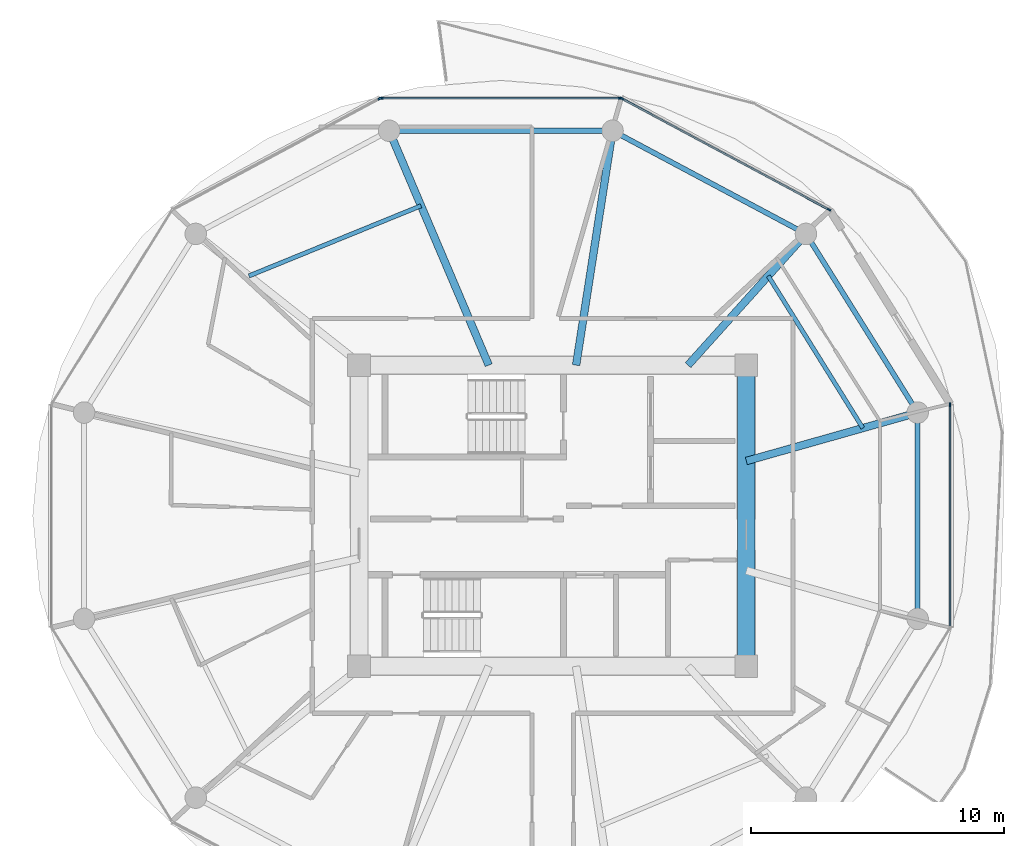
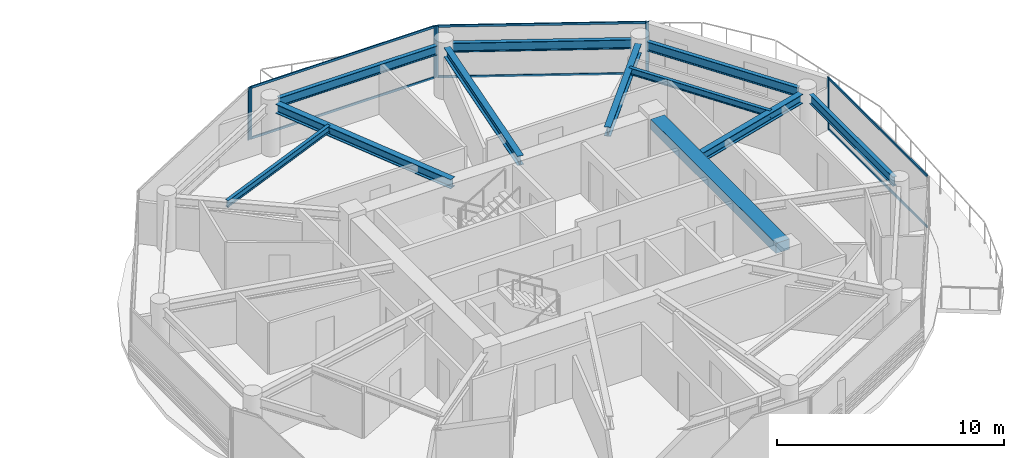
# One storey, part 11 of 24: 12 members, 11 beams, 4 elements without a shape of their own.
"""IFC4 building model written with IfcOpenShell, lengths in metres."""

from ifc_helpers import new_model, si_unit, direction, frame, origin, origin_2d, place, context, subcontext, project, spatial, rectangle, i_section, extrude, source, transform, mapped, material, layer, layer_set, material_profile, profile_set, type_object, type_shapes, element, aggregate, save


model = new_model("IFC4")

# Units and contexts
model_context = context("Model", 3, precision=1e-05, world=origin(), true_north=direction((0.0, 1.0)))
body_context = subcontext(model_context, "Body", "Model", "MODEL_VIEW")
ifc_project = project(units=[si_unit("LENGTHUNIT", "METRE"), si_unit("AREAUNIT", "SQUARE_METRE"), si_unit("VOLUMEUNIT", "CUBIC_METRE"), si_unit("PLANEANGLEUNIT", "RADIAN"), si_unit("MASSUNIT", "GRAM", prefix="KILO")], contexts=[model_context])

# Site, building, storey
site_placement = place(None, origin())
site = spatial("IfcSite", under=ifc_project, at=site_placement, CompositionType="ELEMENT")
building_placement = place(site_placement, origin())
building = spatial("IfcBuilding", under=site, at=building_placement, Name="Norrkilde Senior Care Towers", CompositionType="ELEMENT")
storey_placement = place(building_placement, frame((0.0, 0.0, 102.35009765625)))
storey = spatial("IfcBuildingStorey", under=building, at=storey_placement, Name="L31", CompositionType="ELEMENT", Elevation=102.35009765625)

# Beams
ifc_material_1 = material(Name="Concrete C60/75", Category="concrete")
ifc_material_profile_1 = material_profile(ifc_material_1, rectangle(XDim=0.699951171875, YDim=0.550048828125, at=origin_2d()), Name="RC BM 700x550")
ifc_profile_set_1 = profile_set([ifc_material_profile_1], Name="Concrete C60/75")
beam_type_1 = type_object("IfcBeamType", Name="Core Portal Coupling Beam 700x550", PredefinedType="USERDEFINED", material=ifc_profile_set_1)
shared_shape_1 = source(origin(), body_context, "Body", "SweptSolid", [
    extrude(rectangle(XDim=0.699951171875, YDim=0.550048828125, at=origin_2d()), origin(), (0.0, 0.0, 1.0), 11.0400390625),
])
type_shapes(beam_type_1, [shared_shape_1])
beam_1_placement = place(storey_placement, frame((35.64990234375, -5.52001953125, 2.514892578125), z_axis=(0.0, 1.0, 0.0), x_axis=(-1.0, 0.0, 0.0)))
element("IfcBeam", 1, at=beam_1_placement, inside=storey, type_object=beam_type_1, Name="L31 Core E E Coupling Girder", ObjectType="GIRDER", PredefinedType="USERDEFINED", context=body_context, shape_type="MappedRepresentation", body=[
    mapped(shared_shape_1, transform((0.0, 0.0, 0.0), x_axis=(1.0, 0.0, 0.0), y_axis=(0.0, 1.0, 0.0), z_axis=(0.0, 0.0, 1.0), scale=1.0)),
])
ifc_material_2 = material(Name="Steel S355", Category="steel")
ifc_material_profile_2 = material_profile(ifc_material_2, i_section(OverallWidth=0.199951171875, OverallDepth=0.5, WebThickness=0.01025390625, FlangeThickness=0.01611328125, FilletRadius=0.02099609375, at=origin_2d()), Name="IPE 500")
ifc_profile_set_2 = profile_set([ifc_material_profile_2], Name="Steel S355")
beam_type_2 = type_object("IfcBeamType", Name="Perimeter Ring Spandrel Z2 IPE500", PredefinedType="SPANDREL", material=ifc_profile_set_2)
shared_shape_2 = source(origin(), body_context, "Body", "SweptSolid", [
    extrude(i_section(OverallWidth=0.199951171875, OverallDepth=0.5, WebThickness=0.01025390625, FlangeThickness=0.01611328125, FilletRadius=0.02099609375, at=origin_2d()), origin(), (0.0, 0.0, 1.0), 7.892333984375),
])
beam_2_placement = place(storey_placement, frame((37.66650390625, 11.318115234375, 2.539794921875), z_axis=(-0.882350372282, 0.47059305194, 0.0), x_axis=(-0.47059305194, -0.882350372282, 0.0)))
element("IfcBeam", 2, at=beam_2_placement, inside=storey, type_object=beam_type_2, Name="L31 Drum E Perimeter Spandrel 02", PredefinedType="SPANDREL", context=body_context, shape_type="MappedRepresentation", body=[
    mapped(shared_shape_2, transform((0.0, 0.0, 0.0), x_axis=(1.0, 0.0, 0.0), y_axis=(0.0, 1.0, 0.0), z_axis=(0.0, 0.0, 1.0), scale=1.0)),
])
shared_shape_3 = source(origin(), body_context, "Body", "SweptSolid", [
    extrude(i_section(OverallWidth=0.199951171875, OverallDepth=0.5, WebThickness=0.01025390625, FlangeThickness=0.01611328125, FilletRadius=0.02099609375, at=origin_2d()), origin(), (0.0, 0.0, 1.0), 8.0556640625),
])
beam_3_placement = place(storey_placement, frame((29.977783203125, 15.21337890625, 2.539794921875), z_axis=(-1.0, 0.0, 0.0), x_axis=(0.0, -1.0, 0.0)))
element("IfcBeam", 3, at=beam_3_placement, inside=storey, type_object=beam_type_2, Name="L31 Drum E Perimeter Spandrel 03", PredefinedType="SPANDREL", context=body_context, shape_type="MappedRepresentation", body=[
    mapped(shared_shape_3, transform((0.0, 0.0, 0.0), x_axis=(1.0, 0.0, 0.0), y_axis=(0.0, 1.0, 0.0), z_axis=(0.0, 0.0, 1.0), scale=1.0)),
])
ifc_material_profile_3 = material_profile(ifc_material_2, i_section(OverallWidth=0.300048828125, OverallDepth=0.5, WebThickness=0.014404296875, FlangeThickness=0.028076171875, FilletRadius=0.027099609375, at=origin_2d()), Name="HEB 500")
ifc_profile_set_3 = profile_set([ifc_material_profile_3], Name="Steel S355")
beam_type_3 = type_object("IfcBeamType", Name="Radial Floor Beam Z2 HEB500", PredefinedType="BEAM", material=ifc_profile_set_3)
shared_shape_4 = source(origin(), body_context, "Body", "SweptSolid", [
    extrude(i_section(OverallWidth=0.300048828125, OverallDepth=0.5, WebThickness=0.014404296875, FlangeThickness=0.028076171875, FilletRadius=0.027099609375, at=origin_2d()), origin(), (0.0, 0.0, 1.0), 9.679443359375),
])
beam_4_placement = place(storey_placement, frame((25.472412109375, 5.949951171875, 2.539794921875), z_axis=(-0.390998033479, 0.920391513333, 0.0), x_axis=(-0.920391513333, -0.390998033479, 0.0)))
element("IfcBeam", 4, at=beam_4_placement, inside=storey, type_object=beam_type_3, Name="L31 Drum E Radial Floor Beam 04", PredefinedType="BEAM", context=body_context, shape_type="MappedRepresentation", body=[
    mapped(shared_shape_4, transform((0.0, 0.0, 0.0), x_axis=(1.0, 0.0, 0.0), y_axis=(0.0, 1.0, 0.0), z_axis=(0.0, 0.0, 1.0), scale=1.0)),
])
shared_shape_5 = source(origin(), body_context, "Body", "SweptSolid", [
    extrude(i_section(OverallWidth=0.300048828125, OverallDepth=0.5, WebThickness=0.014404296875, FlangeThickness=0.028076171875, FilletRadius=0.027099609375, at=origin_2d()), origin(), (0.0, 0.0, 1.0), 8.989501953125),
])
beam_5_placement = place(storey_placement, frame((28.924072265625, 5.949951171875, 2.539794921875), z_axis=(0.153471298636, 0.988153105796, 0.0), x_axis=(-0.988153105796, 0.153471298636, 0.0)))
element("IfcBeam", 5, at=beam_5_placement, inside=storey, type_object=beam_type_3, Name="L31 Drum E Radial Floor Beam 03", PredefinedType="BEAM", context=body_context, shape_type="MappedRepresentation", body=[
    mapped(shared_shape_5, transform((0.0, 0.0, 0.0), x_axis=(1.0, 0.0, 0.0), y_axis=(0.0, 1.0, 0.0), z_axis=(0.0, 0.0, 1.0), scale=1.0)),
])
shared_shape_6 = source(origin(), body_context, "Body", "SweptSolid", [
    extrude(i_section(OverallWidth=0.199951171875, OverallDepth=0.5, WebThickness=0.01025390625, FlangeThickness=0.01611328125, FilletRadius=0.02099609375, at=origin_2d()), origin(), (0.0, 0.0, 1.0), 7.556396484375),
])
beam_6_placement = place(storey_placement, frame((42.215087890625, 4.40283203125, 2.539794921875), z_axis=(-0.530004748437, 0.847994673706, 0.0), x_axis=(-0.847994673706, -0.530004748437, 0.0)))
element("IfcBeam", 6, at=beam_6_placement, inside=storey, type_object=beam_type_2, Name="L31 Drum E Perimeter Spandrel 01", PredefinedType="SPANDREL", context=body_context, shape_type="MappedRepresentation", body=[
    mapped(shared_shape_6, transform((0.0, 0.0, 0.0), x_axis=(1.0, 0.0, 0.0), y_axis=(0.0, 1.0, 0.0), z_axis=(0.0, 0.0, 1.0), scale=1.0)),
])
shared_shape_7 = source(origin(), body_context, "Body", "SweptSolid", [
    extrude(i_section(OverallWidth=0.300048828125, OverallDepth=0.5, WebThickness=0.014404296875, FlangeThickness=0.028076171875, FilletRadius=0.027099609375, at=origin_2d()), origin(), (0.0, 0.0, 1.0), 6.587890625),
])
beam_7_placement = place(storey_placement, frame((33.345947265625, 5.949951171875, 2.539794921875), z_axis=(0.668315438605, 0.743877997068, 0.0), x_axis=(-0.743877997068, 0.668315438605, 0.0)))
element("IfcBeam", 7, at=beam_7_placement, inside=storey, type_object=beam_type_3, Name="L31 Drum E Radial Floor Beam 02", PredefinedType="BEAM", context=body_context, shape_type="MappedRepresentation", body=[
    mapped(shared_shape_7, transform((0.0, 0.0, 0.0), x_axis=(1.0, 0.0, 0.0), y_axis=(0.0, 1.0, 0.0), z_axis=(0.0, 0.0, 1.0), scale=1.0)),
])
shared_shape_8 = source(origin(), body_context, "Body", "SweptSolid", [
    extrude(i_section(OverallWidth=0.199951171875, OverallDepth=0.5, WebThickness=0.01025390625, FlangeThickness=0.01611328125, FilletRadius=0.02099609375, at=origin_2d()), origin(), (0.0, 0.0, 1.0), 7.3828125),
])
type_shapes(beam_type_2, [shared_shape_2, shared_shape_3, shared_shape_6, shared_shape_8])
beam_8_placement = place(storey_placement, frame((42.4189453125, -3.69140625, 2.539794921875), z_axis=(0.0, 1.0, 0.0), x_axis=(-1.0, 0.0, 0.0)))
element("IfcBeam", 8, at=beam_8_placement, inside=storey, type_object=beam_type_2, Name="L31 Drum E Perimeter Spandrel 12", PredefinedType="SPANDREL", context=body_context, shape_type="MappedRepresentation", body=[
    mapped(shared_shape_8, transform((0.0, 0.0, 0.0), x_axis=(1.0, 0.0, 0.0), y_axis=(0.0, 1.0, 0.0), z_axis=(0.0, 0.0, 1.0), scale=1.0)),
])
shared_shape_9 = source(origin(), body_context, "Body", "SweptSolid", [
    extrude(i_section(OverallWidth=0.300048828125, OverallDepth=0.5, WebThickness=0.014404296875, FlangeThickness=0.028076171875, FilletRadius=0.027099609375, at=origin_2d()), origin(), (0.0, 0.0, 1.0), 6.6494140625),
])
type_shapes(beam_type_3, [shared_shape_4, shared_shape_5, shared_shape_7, shared_shape_9])
beam_9_placement = place(storey_placement, frame((35.64990234375, 2.162841796875, 2.539794921875), z_axis=(0.962289138357, 0.27202870106, 0.0), x_axis=(-0.27202870106, 0.962289138357, 0.0)))
element("IfcBeam", 9, at=beam_9_placement, inside=storey, type_object=beam_type_3, Name="L31 Drum E Radial Floor Beam 01", PredefinedType="BEAM", context=body_context, shape_type="MappedRepresentation", body=[
    mapped(shared_shape_9, transform((0.0, 0.0, 0.0), x_axis=(1.0, 0.0, 0.0), y_axis=(0.0, 1.0, 0.0), z_axis=(0.0, 0.0, 1.0), scale=1.0)),
])
ifc_material_profile_4 = material_profile(ifc_material_2, i_section(OverallWidth=0.169921875, OverallDepth=0.360107421875, WebThickness=0.008056640625, FlangeThickness=0.0126953125, FilletRadius=0.01806640625, at=origin_2d()), Name="IPE 360")
ifc_profile_set_4 = profile_set([ifc_material_profile_4], Name="Steel S355")
beam_type_4 = type_object("IfcBeamType", Name="Secondary Floor Joist IPE360", PredefinedType="JOIST", material=ifc_profile_set_4)
shared_shape_10 = source(origin(), body_context, "Body", "SweptSolid", [
    extrude(i_section(OverallWidth=0.169921875, OverallDepth=0.360107421875, WebThickness=0.008056640625, FlangeThickness=0.0126953125, FilletRadius=0.01806640625, at=origin_2d()), origin(), (0.0, 0.0, 1.0), 7.343505859375),
])
beam_10_placement = place(storey_placement, frame((22.79638671875, 12.2490234375, 2.60986328125), z_axis=(-0.926021784767, -0.377470070519, 0.0), x_axis=(0.377470070519, -0.926021784767, 0.0)))
element("IfcBeam", 10, at=beam_10_placement, inside=storey, type_object=beam_type_4, Name="L31 Drum E Secondary Floor Joist 2", PredefinedType="JOIST", context=body_context, shape_type="MappedRepresentation", body=[
    mapped(shared_shape_10, transform((0.0, 0.0, 0.0), x_axis=(1.0, 0.0, 0.0), y_axis=(0.0, 1.0, 0.0), z_axis=(0.0, 0.0, 1.0), scale=1.0)),
])
shared_shape_11 = source(origin(), body_context, "Body", "SweptSolid", [
    extrude(i_section(OverallWidth=0.169921875, OverallDepth=0.360107421875, WebThickness=0.008056640625, FlangeThickness=0.0126953125, FilletRadius=0.01806640625, at=origin_2d()), origin(), (0.0, 0.0, 1.0), 7.080078125),
])
type_shapes(beam_type_4, [shared_shape_10, shared_shape_11])
beam_11_placement = place(storey_placement, frame((40.2529296875, 3.464111328125, 2.60986328125), z_axis=(-0.527961009189, 0.849268610497, 0.0), x_axis=(-0.849268610497, -0.527961009189, 0.0)))
element("IfcBeam", 11, at=beam_11_placement, inside=storey, type_object=beam_type_4, Name="L31 Drum E Secondary Floor Joist 1", PredefinedType="JOIST", context=body_context, shape_type="MappedRepresentation", body=[
    mapped(shared_shape_11, transform((0.0, 0.0, 0.0), x_axis=(1.0, 0.0, 0.0), y_axis=(0.0, 1.0, 0.0), z_axis=(0.0, 0.0, 1.0), scale=1.0)),
])

# Curtain wall, members
ifc_material_3 = material(Name="Triple Low-E Insulated Glazing", Category="glass")
ifc_layer = layer(ifc_material_3, 0.195068359375)
ifc_layer_set = layer_set([ifc_layer], Name="Triple Low-E Insulated Glazing")
curtain_wall_type = type_object("IfcCurtainWallType", Name="CW3 Zone 2 Assisted Living Curtain Wall", PredefinedType="NOTDEFINED", material=ifc_layer_set)
curtain_wall_1_placement = place(storey_placement, origin())
curtain_wall_1 = element("IfcCurtainWall", 12, at=curtain_wall_1_placement, inside=storey, type_object=curtain_wall_type, Name="L31 Drum E Curtain Wall 01", PredefinedType="NOTDEFINED")
ifc_material_4 = material(Name="Anodised Aluminium", Category="aluminium")
ifc_material_profile_5 = material_profile(ifc_material_4, rectangle(XDim=0.06494140625, YDim=0.159912109375, at=origin_2d()), Name="ALU MULL 65x160")
ifc_profile_set_5 = profile_set([ifc_material_profile_5], Name="Anodised Aluminium")
member_type_1 = type_object("IfcMemberType", Name="Curtain Wall Mullion Z1-Z2 65x160", PredefinedType="MULLION", material=ifc_profile_set_5)
shared_shape_12 = source(origin(), body_context, "Body", "SweptSolid", [
    extrude(rectangle(XDim=0.06494140625, YDim=0.159912109375, at=origin_2d()), origin(), (0.0, 0.0, 1.0), 2.789794921875),
])
type_shapes(member_type_1, [shared_shape_12])
member_1_placement = place(storey_placement, frame((30.73583984375, 16.482666015625, 0.0), z_axis=(0.0, 0.0, 1.0), x_axis=(0.472769402511, 0.881186184668, 0.0)))
member_1 = element("IfcMember", 13, at=member_1_placement, type_object=member_type_1, Name="CW-3 mullion 1", PredefinedType="MULLION", context=body_context, shape_type="MappedRepresentation", body=[
    mapped(shared_shape_12, transform((0.0, 0.0, 0.0), x_axis=(1.0, 0.0, 0.0), y_axis=(0.0, 1.0, 0.0), z_axis=(0.0, 0.0, 1.0), scale=1.0)),
])
member_2_placement = place(storey_placement, frame((38.91796875, 12.0927734375, 0.0), z_axis=(0.0, 0.0, 1.0), x_axis=(0.472769402511, 0.881186184668, 0.0)))
member_2 = element("IfcMember", 14, at=member_2_placement, type_object=member_type_1, Name="CW-3 mullion 2", PredefinedType="MULLION", context=body_context, shape_type="MappedRepresentation", body=[
    mapped(shared_shape_12, transform((0.0, 0.0, 0.0), x_axis=(1.0, 0.0, 0.0), y_axis=(0.0, 1.0, 0.0), z_axis=(0.0, 0.0, 1.0), scale=1.0)),
])

curtain_wall_2_placement = place(storey_placement, origin())
curtain_wall_2 = element("IfcCurtainWall", 15, at=curtain_wall_2_placement, inside=storey, type_object=curtain_wall_type, Name="L31 Drum E Curtain Wall 02", PredefinedType="NOTDEFINED")
member_3_placement = place(storey_placement, frame((21.225341796875, 16.498046875, 0.0), z_axis=(0.0, 0.0, 1.0), x_axis=(0.0, 1.0, 0.0)))
member_3 = element("IfcMember", 16, at=member_3_placement, type_object=member_type_1, Name="CW-3 mullion 1", PredefinedType="MULLION", context=body_context, shape_type="MappedRepresentation", body=[
    mapped(shared_shape_12, transform((0.0, 0.0, 0.0), x_axis=(1.0, 0.0, 0.0), y_axis=(0.0, 1.0, 0.0), z_axis=(0.0, 0.0, 1.0), scale=1.0)),
])
member_4_placement = place(storey_placement, frame((30.674560546875, 16.498046875, 0.0), z_axis=(0.0, 0.0, 1.0), x_axis=(0.0, 1.0, 0.0)))
member_4 = element("IfcMember", 17, at=member_4_placement, type_object=member_type_1, Name="CW-3 mullion 2", PredefinedType="MULLION", context=body_context, shape_type="MappedRepresentation", body=[
    mapped(shared_shape_12, transform((0.0, 0.0, 0.0), x_axis=(1.0, 0.0, 0.0), y_axis=(0.0, 1.0, 0.0), z_axis=(0.0, 0.0, 1.0), scale=1.0)),
])

# Curtain wall, member
curtain_wall_3_placement = place(storey_placement, origin())
curtain_wall_3 = element("IfcCurtainWall", 18, at=curtain_wall_3_placement, inside=storey, type_object=curtain_wall_type, Name="L31 Drum E Curtain Wall 03", PredefinedType="NOTDEFINED")
member_5_placement = place(storey_placement, frame((21.164306640625, 16.482666015625, 0.0), z_axis=(0.0, 0.0, 1.0), x_axis=(-0.472769402511, 0.881186184668, 0.0)))
member_5 = element("IfcMember", 19, at=member_5_placement, type_object=member_type_1, Name="CW-3 mullion 2", PredefinedType="MULLION", context=body_context, shape_type="MappedRepresentation", body=[
    mapped(shared_shape_12, transform((0.0, 0.0, 0.0), x_axis=(1.0, 0.0, 0.0), y_axis=(0.0, 1.0, 0.0), z_axis=(0.0, 0.0, 1.0), scale=1.0)),
])
aggregate(curtain_wall_3, [member_5])

curtain_wall_4_placement = place(storey_placement, origin())
curtain_wall_4 = element("IfcCurtainWall", 20, at=curtain_wall_4_placement, inside=storey, type_object=curtain_wall_type, Name="L31 Drum E Curtain Wall 11", PredefinedType="NOTDEFINED")
member_6_placement = place(storey_placement, frame((43.70361328125, 4.38818359375, 0.0), z_axis=(0.0, 0.0, 1.0), x_axis=(1.0, 0.0, 0.0)))
member_6 = element("IfcMember", 21, at=member_6_placement, type_object=member_type_1, Name="CW-3 mullion 1", PredefinedType="MULLION", context=body_context, shape_type="MappedRepresentation", body=[
    mapped(shared_shape_12, transform((0.0, 0.0, 0.0), x_axis=(1.0, 0.0, 0.0), y_axis=(0.0, 1.0, 0.0), z_axis=(0.0, 0.0, 1.0), scale=1.0)),
])

# Member
ifc_material_profile_6 = material_profile(ifc_material_4, rectangle(XDim=0.06005859375, YDim=0.1201171875, at=origin_2d()), Name="ALU TRAN 60x120")
ifc_profile_set_6 = profile_set([ifc_material_profile_6], Name="Anodised Aluminium")
member_type_2 = type_object("IfcMemberType", Name="Curtain Wall Transom Typical 60x120", PredefinedType="USERDEFINED", material=ifc_profile_set_6)
shared_shape_13 = source(origin(), body_context, "Body", "SweptSolid", [
    extrude(rectangle(XDim=0.06005859375, YDim=0.1201171875, at=origin_2d()), origin(), (0.0, 0.0, 1.0), 9.220458984375),
])
member_7_placement = place(storey_placement, frame((30.764404296875, 16.46728515625, 0.02978515625), z_axis=(0.881188517866, -0.472765053681, 0.0), x_axis=(0.472765053681, 0.881188517866, 0.0)))
member_7 = element("IfcMember", 22, at=member_7_placement, type_object=member_type_2, Name="CW-3 transom 1.1", ObjectType="TRANSOM", PredefinedType="USERDEFINED", context=body_context, shape_type="MappedRepresentation", body=[
    mapped(shared_shape_13, transform((0.0, 0.0, 0.0), x_axis=(1.0, 0.0, 0.0), y_axis=(0.0, 1.0, 0.0), z_axis=(0.0, 0.0, 1.0), scale=1.0)),
])

member_8_placement = place(storey_placement, frame((30.764404296875, 16.46728515625, 2.760009765625), z_axis=(0.881188517866, -0.472765053681, 0.0), x_axis=(0.472765053681, 0.881188517866, 0.0)))
member_8 = element("IfcMember", 23, at=member_8_placement, type_object=member_type_2, Name="CW-3 transom 1.2", ObjectType="TRANSOM", PredefinedType="USERDEFINED", context=body_context, shape_type="MappedRepresentation", body=[
    mapped(shared_shape_13, transform((0.0, 0.0, 0.0), x_axis=(1.0, 0.0, 0.0), y_axis=(0.0, 1.0, 0.0), z_axis=(0.0, 0.0, 1.0), scale=1.0)),
])

aggregate(curtain_wall_1, [member_1, member_2, member_7, member_8])

shared_shape_14 = source(origin(), body_context, "Body", "SweptSolid", [
    extrude(rectangle(XDim=0.06005859375, YDim=0.1201171875, at=origin_2d()), origin(), (0.0, 0.0, 1.0), 9.38427734375),
])
member_9_placement = place(storey_placement, frame((21.2578125, 16.498046875, 0.02978515625), z_axis=(1.0, 0.0, 0.0), x_axis=(0.0, 1.0, 0.0)))
member_9 = element("IfcMember", 24, at=member_9_placement, type_object=member_type_2, Name="CW-3 transom 1.1", ObjectType="TRANSOM", PredefinedType="USERDEFINED", context=body_context, shape_type="MappedRepresentation", body=[
    mapped(shared_shape_14, transform((0.0, 0.0, 0.0), x_axis=(1.0, 0.0, 0.0), y_axis=(0.0, 1.0, 0.0), z_axis=(0.0, 0.0, 1.0), scale=1.0)),
])

member_10_placement = place(storey_placement, frame((21.2578125, 16.498046875, 2.760009765625), z_axis=(1.0, 0.0, 0.0), x_axis=(0.0, 1.0, 0.0)))
member_10 = element("IfcMember", 25, at=member_10_placement, type_object=member_type_2, Name="CW-3 transom 1.2", ObjectType="TRANSOM", PredefinedType="USERDEFINED", context=body_context, shape_type="MappedRepresentation", body=[
    mapped(shared_shape_14, transform((0.0, 0.0, 0.0), x_axis=(1.0, 0.0, 0.0), y_axis=(0.0, 1.0, 0.0), z_axis=(0.0, 0.0, 1.0), scale=1.0)),
])

aggregate(curtain_wall_2, [member_3, member_4, member_9, member_10])

shared_shape_15 = source(origin(), body_context, "Body", "SweptSolid", [
    extrude(rectangle(XDim=0.06005859375, YDim=0.1201171875, at=origin_2d()), origin(), (0.0, 0.0, 1.0), 8.71142578125),
])
type_shapes(member_type_2, [shared_shape_13, shared_shape_14, shared_shape_15])
member_11_placement = place(storey_placement, frame((43.70361328125, 4.355712890625, 0.02978515625), z_axis=(0.0, -1.0, 0.0), x_axis=(1.0, 0.0, 0.0)))
member_11 = element("IfcMember", 26, at=member_11_placement, type_object=member_type_2, Name="CW-3 transom 1.1", ObjectType="TRANSOM", PredefinedType="USERDEFINED", context=body_context, shape_type="MappedRepresentation", body=[
    mapped(shared_shape_15, transform((0.0, 0.0, 0.0), x_axis=(1.0, 0.0, 0.0), y_axis=(0.0, 1.0, 0.0), z_axis=(0.0, 0.0, 1.0), scale=1.0)),
])

member_12_placement = place(storey_placement, frame((43.70361328125, 4.355712890625, 2.760009765625), z_axis=(0.0, -1.0, 0.0), x_axis=(1.0, 0.0, 0.0)))
member_12 = element("IfcMember", 27, at=member_12_placement, type_object=member_type_2, Name="CW-3 transom 1.2", ObjectType="TRANSOM", PredefinedType="USERDEFINED", context=body_context, shape_type="MappedRepresentation", body=[
    mapped(shared_shape_15, transform((0.0, 0.0, 0.0), x_axis=(1.0, 0.0, 0.0), y_axis=(0.0, 1.0, 0.0), z_axis=(0.0, 0.0, 1.0), scale=1.0)),
])

aggregate(curtain_wall_4, [member_6, member_11, member_12])

save(model, "model.ifc")
